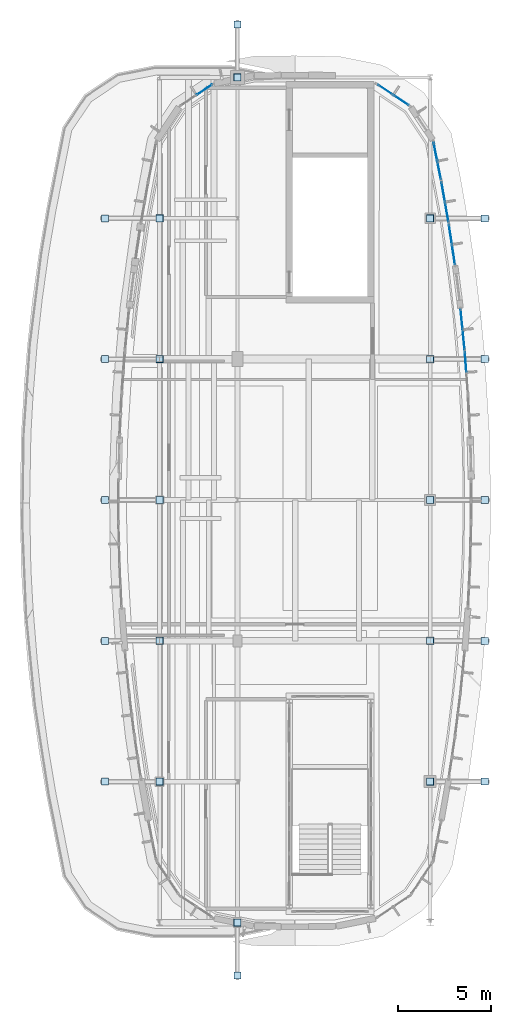
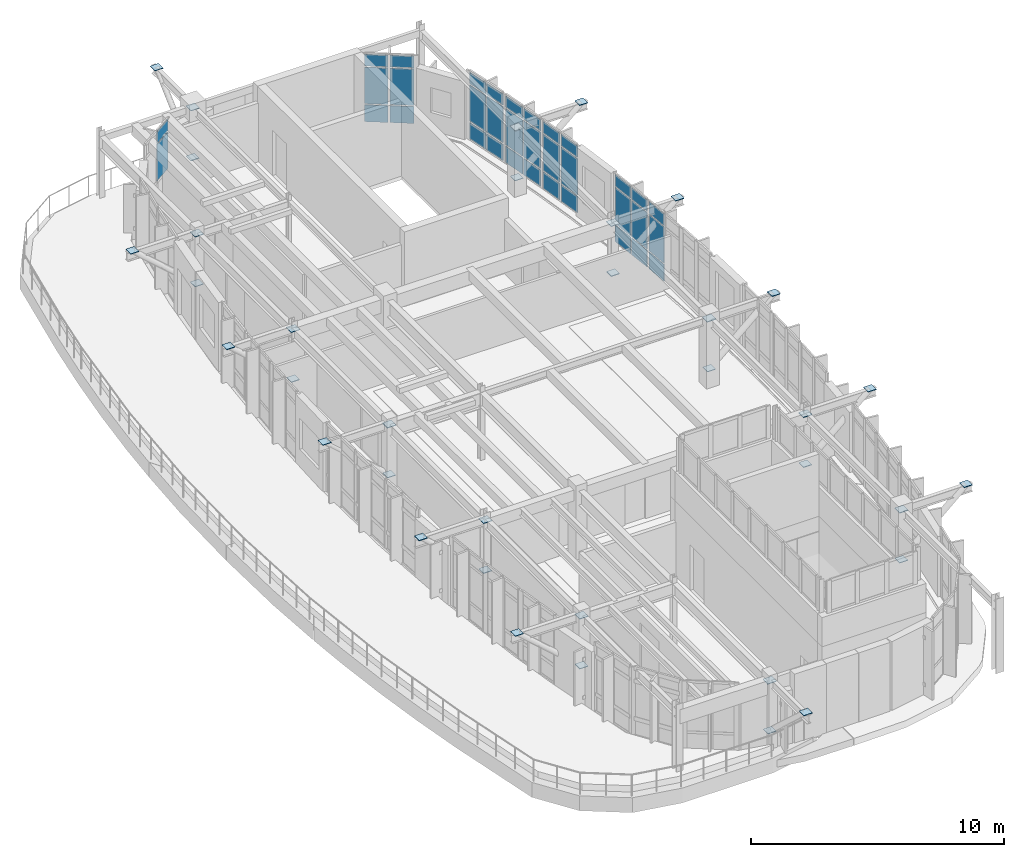
# One storey, part 15 of 20: 71 plates, 7 elements without a shape of their own.
"""IFC4 building model written with IfcOpenShell, lengths in metres."""

import ifcopenshell
import ifcopenshell.guid

model = None  # the IFC model being written
_history = None  # IfcOwnerHistory: only IFC2X3 demands one
_inside = {}  # id of a spatial element -> (the spatial element, [elements in it])
_under = {}  # id of a project, library or spatial element -> (it, [spatial elements below it])
_declared = {}  # id of a project -> (the project, [libraries it declares])
_typed = {}  # id of a type object -> (the type object, [elements of that type])
_made_of = {}  # id of a material, layer set ... -> (it, [elements and type objects made of it])


def new_model(schema):
    """Start an empty IFC model of exactly this schema.

    Asked for "IFC4X3", IfcOpenShell would pick the latest addendum, in which some entities
    have other attributes; the version numbers below select the first issue.
    IFC2X3 requires an IfcOwnerHistory on every rooted entity: one is made here for all.
    """
    global model, _history
    if schema == "IFC4X3":
        model = ifcopenshell.file(schema_version=(4, 3, 0, 0))
    else:
        model = ifcopenshell.file(schema=schema)
    _inside.clear()
    _under.clear()
    _declared.clear()
    _typed.clear()
    _made_of.clear()
    _history = None
    if model.schema == "IFC2X3":
        org = make("IfcOrganization", Name="unknown")
        user = make(
            "IfcPersonAndOrganization",
            ThePerson=make("IfcPerson", FamilyName="unknown"),
            TheOrganization=org,
        )
        app = make(
            "IfcApplication",
            ApplicationDeveloper=org,
            Version="unknown",
            ApplicationFullName="unknown",
            ApplicationIdentifier="unknown",
        )
        _history = make(
            "IfcOwnerHistory",
            OwningUser=user,
            OwningApplication=app,
            ChangeAction="ADDED",
            CreationDate=0,
        )
    return model


def make(cls, **values):
    """One entity of the class cls with the attributes given. An attribute that is None is left unset."""
    return model.create_entity(
        cls, **{name: value for name, value in values.items() if value is not None}
    )


def rooted(cls, **values):
    """An entity with a GlobalId (a new one), such as an element, a storey or a relation."""
    return make(cls, GlobalId=ifcopenshell.guid.new(), OwnerHistory=_history, **values)


def si_unit(unit_type, name, prefix=None):
    """IfcSIUnit, for example si_unit("LENGTHUNIT", "METRE", prefix="MILLI")."""
    return make("IfcSIUnit", UnitType=unit_type, Prefix=prefix, Name=name)


def assignment(units):
    """IfcUnitAssignment: the units of a project."""
    return None if units is None else make("IfcUnitAssignment", Units=units)


def point(xyz):
    """IfcCartesianPoint."""
    return None if xyz is None else make("IfcCartesianPoint", Coordinates=xyz)


def direction(xyz):
    """IfcDirection."""
    return None if xyz is None else make("IfcDirection", DirectionRatios=xyz)


def frame(location, z_axis=None, x_axis=None):
    """IfcAxis2Placement3D, a coordinate frame: its origin and axes. An axis left out is left unset."""
    return make(
        "IfcAxis2Placement3D",
        Location=point(location),
        Axis=direction(z_axis),
        RefDirection=direction(x_axis),
    )


def frame_2d(location, x_axis=None):
    """IfcAxis2Placement2D, a coordinate frame in the plane: its origin and x axis."""
    return make(
        "IfcAxis2Placement2D", Location=point(location), RefDirection=direction(x_axis)
    )


def origin():
    """The frame at (0, 0, 0) with its axes left unset."""
    return frame((0.0, 0.0, 0.0))


def origin_2d():
    """The frame at (0, 0) in the plane with its x axis left unset."""
    return frame_2d((0.0, 0.0))


def place(relative_to, where):
    """IfcLocalPlacement: puts the frame where relative to a parent placement (None: the world)."""
    return make(
        "IfcLocalPlacement", PlacementRelTo=relative_to, RelativePlacement=where
    )


def context(
    kind, dimensions, precision=None, world=None, true_north=None, identifier=None
):
    """IfcGeometricRepresentationContext, for example the 3D "Model" context."""
    return make(
        "IfcGeometricRepresentationContext",
        ContextIdentifier=identifier,
        ContextType=kind,
        CoordinateSpaceDimension=dimensions,
        Precision=precision,
        WorldCoordinateSystem=world,
        TrueNorth=true_north,
    )


def subcontext(parent, identifier, kind, view, scale=None):
    """IfcGeometricRepresentationSubContext, for example "Body" below "Model"."""
    return make(
        "IfcGeometricRepresentationSubContext",
        ContextIdentifier=identifier,
        ContextType=kind,
        ParentContext=parent,
        TargetScale=scale,
        TargetView=view,
    )


def project(units=None, contexts=None):
    """IfcProject with its units and contexts."""
    return rooted(
        "IfcProject",
        Name="project",
        RepresentationContexts=contexts,
        UnitsInContext=assignment(units),
    )


def spatial(cls, under=None, at=None, **own):
    """A site, building, storey or space (cls), placed at a placement, below another one or the project."""
    s = rooted(cls, ObjectPlacement=at, **own)
    if under is not None:
        _under.setdefault(under.id(), (under, []))[1].append(s)
    return s


def profile(cls, at=None, kind="AREA", **sizes):
    """A parametric profile (cls). Its sizes go by their IFC names, for example OverallWidth=200.0."""
    return make(cls, ProfileType=kind, Position=at, **sizes)


def rectangle(**sizes):
    """IfcRectangleProfileDef."""
    return profile("IfcRectangleProfileDef", **sizes)


def extrude(swept, where, along, depth):
    """IfcExtrudedAreaSolid: the profile swept, set in the frame where, extruded along a direction by depth."""
    return make(
        "IfcExtrudedAreaSolid",
        SweptArea=swept,
        Position=where,
        ExtrudedDirection=direction(along),
        Depth=depth,
    )


def shape(context_of_items, identifier, shape_type, items):
    """IfcShapeRepresentation: the items that make up one representation, for example the "Body"."""
    return make(
        "IfcShapeRepresentation",
        ContextOfItems=context_of_items,
        RepresentationIdentifier=identifier,
        RepresentationType=shape_type,
        Items=items,
    )


def material(Name=None, Category=None):
    """IfcMaterial."""
    return make("IfcMaterial", Name=Name, Category=Category)


def layer(
    of_material, thickness, ventilated=None, Name=None, Category=None, Priority=None
):
    """IfcMaterialLayer: one layer of a wall or slab, of a material (None: an air gap)."""
    return make(
        "IfcMaterialLayer",
        Material=of_material,
        LayerThickness=thickness,
        IsVentilated=ventilated,
        Name=Name,
        Category=Category,
        Priority=Priority,
    )


def layer_set(layers, Name=None):
    """IfcMaterialLayerSet."""
    return make("IfcMaterialLayerSet", MaterialLayers=layers, LayerSetName=Name)


def made_of(thing, what):
    """Note that an element or type object is made of a material, layer set ...; save() writes the relation."""
    if what is not None:
        _made_of.setdefault(what.id(), (what, []))[1].append(thing)
    return thing


def type_object(cls, material=None, **own):
    """A type object (cls), such as IfcWallType, which elements share."""
    return made_of(rooted(cls, **own), material)


def element(
    cls,
    number,
    at=None,
    inside=None,
    cuts=None,
    type_object=None,
    material=None,
    context=None,
    identifier="Body",
    shape_type=None,
    held_by="IfcProductDefinitionShape",
    body=None,
    shapes=None,
    **own,
):
    """One element of the class cls, such as IfcWall. Its Tag is "e" and its number.

    at: its placement. inside: the storey or other place that contains it. cuts: it is an
    opening in that element (IfcRelVoidsElement). A single representation is given by context,
    identifier, shape_type and body (its items); several are given by shapes. held_by: the class
    of the entity that holds the representations. save() writes the other relations.
    """
    e = rooted(cls, Tag="e%d" % number, ObjectPlacement=at, **own)
    if body is not None:
        shapes = [shape(context, identifier, shape_type, body)]
    if shapes is not None:
        e.Representation = make(held_by, Representations=shapes)
    if inside is not None:
        _inside.setdefault(inside.id(), (inside, []))[1].append(e)
    if cuts is not None:
        rooted(
            "IfcRelVoidsElement", RelatingBuildingElement=cuts, RelatedOpeningElement=e
        )
    if type_object is not None:
        _typed.setdefault(type_object.id(), (type_object, []))[1].append(e)
    return made_of(e, material)


def aggregate(whole, parts):
    """IfcRelAggregates: a whole, such as a stair, and the parts it consists of."""
    return rooted("IfcRelAggregates", RelatingObject=whole, RelatedObjects=parts)


def save(model, path):
    """Write the relations noted so far, then the file.

    IfcRelAggregates (storeys below a building ...), IfcRelContainedInSpatialStructure (elements
    in a storey), IfcRelDefinesByType, IfcRelAssociatesMaterial and IfcRelDeclares: one each for
    every whole, place, type object, material and project.
    """
    for whole, parts in _under.values():
        aggregate(whole, parts)
    for where, things in _inside.values():
        rooted(
            "IfcRelContainedInSpatialStructure",
            RelatedElements=things,
            RelatingStructure=where,
        )
    for kind, things in _typed.values():
        rooted("IfcRelDefinesByType", RelatedObjects=things, RelatingType=kind)
    for what, things in _made_of.values():
        rooted("IfcRelAssociatesMaterial", RelatedObjects=things, RelatingMaterial=what)
    for by, libraries in _declared.values():
        rooted("IfcRelDeclares", RelatingContext=by, RelatedDefinitions=libraries)
    model.write(path)


model = new_model("IFC4")

# Units and contexts
model_context = context("Model", 3, precision=1e-05, world=origin(), true_north=direction((0.0, 1.0)))
body_context = subcontext(model_context, "Body", "Model", "MODEL_VIEW")
ifc_project = project(units=[si_unit("LENGTHUNIT", "METRE"), si_unit("AREAUNIT", "SQUARE_METRE"), si_unit("VOLUMEUNIT", "CUBIC_METRE"), si_unit("PLANEANGLEUNIT", "RADIAN"), si_unit("MASSUNIT", "GRAM", prefix="KILO")], contexts=[model_context])

# Site, building, storey
site_placement = place(None, origin())
site = spatial("IfcSite", under=ifc_project, at=site_placement, CompositionType="ELEMENT")
building_placement = place(site_placement, origin())
building = spatial("IfcBuilding", under=site, at=building_placement, Name="Corveleigh Park Community Centre", CompositionType="ELEMENT")
storey_placement = place(building_placement, frame((0.0, 0.0, 19.800048828125)))
storey = spatial("IfcBuildingStorey", under=building, at=storey_placement, Name="L05", CompositionType="ELEMENT", Elevation=19.800048828125)

# Curtain wall, plates
ifc_material_1 = material(Name="Anodised aluminium 6063-T6", Category="aluminium")
curtain_wall_type = type_object("IfcCurtainWallType", Name="CW-SYS-V4-L03", PredefinedType="NOTDEFINED", material=ifc_material_1)
curtain_wall_1_placement = place(storey_placement, origin())
curtain_wall_1 = element("IfcCurtainWall", 1, at=curtain_wall_1_placement, inside=storey, type_object=curtain_wall_type, Name="V4 L05 Curtain Wall 481", PredefinedType="NOTDEFINED")
ifc_material_2 = material(Name="Low-E double glazing", Category="glass")
ifc_layer_1 = layer(ifc_material_2, 0.02392578125, Name="Low-E double glazing", Category="glass")
ifc_layer_set_1 = layer_set([ifc_layer_1], Name="Low-E double glazing")
plate_type_1 = type_object("IfcPlateType", Name="CWP-GLZ-24", PredefinedType="CURTAIN_PANEL", material=ifc_layer_set_1)
plate_1_placement = place(storey_placement, frame((170.312744140625, 88.845947265625, 0.059814453125), z_axis=(0.0, 0.0, 1.0), x_axis=(0.074400551014, -0.997228438227, 0.0)))
plate_1 = element("IfcPlate", 2, at=plate_1_placement, type_object=plate_type_1, Name="CW09 panel 1.1", PredefinedType="CURTAIN_PANEL", context=body_context, shape_type="SweptSolid", body=[
    extrude(rectangle(XDim=1.05908203125, YDim=0.02392578125, at=origin_2d()), origin(), (0.0, 0.0, 1.0), 0.81005859375),
])
plate_2_placement = place(storey_placement, frame((170.312744140625, 88.845947265625, 0.929931640625), z_axis=(0.0, 0.0, 1.0), x_axis=(0.074400551014, -0.997228438227, 0.0)))
plate_2 = element("IfcPlate", 3, at=plate_2_placement, type_object=plate_type_1, Name="CW09 panel 1.2", PredefinedType="CURTAIN_PANEL", context=body_context, shape_type="SweptSolid", body=[
    extrude(rectangle(XDim=1.05908203125, YDim=0.02392578125, at=origin_2d()), origin(), (0.0, 0.0, 1.0), 1.75390625),
])
plate_3_placement = place(storey_placement, frame((170.312744140625, 88.845947265625, 2.743896484375), z_axis=(0.0, 0.0, 1.0), x_axis=(0.074400551014, -0.997228438227, 0.0)))
plate_3 = element("IfcPlate", 4, at=plate_3_placement, type_object=plate_type_1, Name="CW09 panel 1.3", PredefinedType="CURTAIN_PANEL", context=body_context, shape_type="SweptSolid", body=[
    extrude(rectangle(XDim=1.05908203125, YDim=0.02392578125, at=origin_2d()), origin(), (0.0, 0.0, 1.0), 0.56005859375),
])
aggregate(curtain_wall_1, [plate_1, plate_2, plate_3])

curtain_wall_2_placement = place(storey_placement, origin())
curtain_wall_2 = element("IfcCurtainWall", 5, at=curtain_wall_2_placement, inside=storey, type_object=curtain_wall_type, Name="V4 L05 Curtain Wall 482", PredefinedType="NOTDEFINED")
plate_4_placement = place(storey_placement, frame((170.096923828125, 91.149658203125, 0.06494140625), z_axis=(0.0, 0.0, 1.0), x_axis=(0.099719288676, -0.995015609659, 0.0)))
plate_4 = element("IfcPlate", 6, at=plate_4_placement, type_object=plate_type_1, Name="CW09 panel 1.1", PredefinedType="CURTAIN_PANEL", context=body_context, shape_type="SweptSolid", body=[
    extrude(rectangle(XDim=1.05078125, YDim=0.02392578125, at=origin_2d()), origin(), (0.0, 0.0, 1.0), 0.802490234375),
])
plate_5_placement = place(storey_placement, frame((170.096923828125, 91.149658203125, 0.932373046875), z_axis=(0.0, 0.0, 1.0), x_axis=(0.099719288676, -0.995015609659, 0.0)))
plate_5 = element("IfcPlate", 7, at=plate_5_placement, type_object=plate_type_1, Name="CW09 panel 1.2", PredefinedType="CURTAIN_PANEL", context=body_context, shape_type="SweptSolid", body=[
    extrude(rectangle(XDim=1.05078125, YDim=0.02392578125, at=origin_2d()), origin(), (0.0, 0.0, 1.0), 1.7490234375),
])
plate_6_placement = place(storey_placement, frame((170.096923828125, 91.149658203125, 2.74658203125), z_axis=(0.0, 0.0, 1.0), x_axis=(0.099719288676, -0.995015609659, 0.0)))
plate_6 = element("IfcPlate", 8, at=plate_6_placement, type_object=plate_type_1, Name="CW09 panel 1.3", PredefinedType="CURTAIN_PANEL", context=body_context, shape_type="SweptSolid", body=[
    extrude(rectangle(XDim=1.05078125, YDim=0.02392578125, at=origin_2d()), origin(), (0.0, 0.0, 1.0), 0.552490234375),
])
plate_7_placement = place(storey_placement, frame((170.2080078125, 90.039306640625, 0.06494140625), z_axis=(0.0, 0.0, 1.0), x_axis=(0.099719288676, -0.995015609659, 0.0)))
plate_7 = element("IfcPlate", 9, at=plate_7_placement, type_object=plate_type_1, Name="CW09 panel 2.1", PredefinedType="CURTAIN_PANEL", context=body_context, shape_type="SweptSolid", body=[
    extrude(rectangle(XDim=1.05078125, YDim=0.02392578125, at=origin_2d()), origin(), (0.0, 0.0, 1.0), 0.802490234375),
])
plate_8_placement = place(storey_placement, frame((170.2080078125, 90.039306640625, 0.932373046875), z_axis=(0.0, 0.0, 1.0), x_axis=(0.099719288676, -0.995015609659, 0.0)))
plate_8 = element("IfcPlate", 10, at=plate_8_placement, type_object=plate_type_1, Name="CW09 panel 2.2", PredefinedType="CURTAIN_PANEL", context=body_context, shape_type="SweptSolid", body=[
    extrude(rectangle(XDim=1.05078125, YDim=0.02392578125, at=origin_2d()), origin(), (0.0, 0.0, 1.0), 1.7490234375),
])
plate_9_placement = place(storey_placement, frame((170.2080078125, 90.039306640625, 2.74658203125), z_axis=(0.0, 0.0, 1.0), x_axis=(0.099719288676, -0.995015609659, 0.0)))
plate_9 = element("IfcPlate", 11, at=plate_9_placement, type_object=plate_type_1, Name="CW09 panel 2.3", PredefinedType="CURTAIN_PANEL", context=body_context, shape_type="SweptSolid", body=[
    extrude(rectangle(XDim=1.05078125, YDim=0.02392578125, at=origin_2d()), origin(), (0.0, 0.0, 1.0), 0.552490234375),
])
aggregate(curtain_wall_2, [plate_4, plate_5, plate_6, plate_7, plate_8, plate_9])

curtain_wall_3_placement = place(storey_placement, origin())
curtain_wall_3 = element("IfcCurtainWall", 12, at=curtain_wall_3_placement, inside=storey, type_object=curtain_wall_type, Name="V4 L05 Curtain Wall 483", PredefinedType="NOTDEFINED")
ifc_layer_2 = layer(ifc_material_2, 0.028076171875, Name="Low-E double glazing", Category="glass")
ifc_layer_set_2 = layer_set([ifc_layer_2], Name="Low-E double glazing")
plate_type_2 = type_object("IfcPlateType", Name="CWP-GLZ-28", PredefinedType="CURTAIN_PANEL", material=ifc_layer_set_2)
plate_10_placement = place(storey_placement, frame((169.492431640625, 95.73779296875, 0.070068359375), z_axis=(0.0, 0.0, 1.0), x_axis=(0.149276778011, -0.988795450812, 0.0)))
plate_10 = element("IfcPlate", 13, at=plate_10_placement, type_object=plate_type_2, Name="CW09 panel 1.1", PredefinedType="CURTAIN_PANEL", context=body_context, shape_type="SweptSolid", body=[
    extrude(rectangle(XDim=1.0439453125, YDim=0.028076171875, at=origin_2d()), origin(), (0.0, 0.0, 1.0), 0.794921875),
])
plate_11_placement = place(storey_placement, frame((169.492431640625, 95.73779296875, 0.93505859375), z_axis=(0.0, 0.0, 1.0), x_axis=(0.149276778011, -0.988795450812, 0.0)))
plate_11 = element("IfcPlate", 14, at=plate_11_placement, type_object=plate_type_2, Name="CW09 panel 1.2", PredefinedType="CURTAIN_PANEL", context=body_context, shape_type="SweptSolid", body=[
    extrude(rectangle(XDim=1.0439453125, YDim=0.028076171875, at=origin_2d()), origin(), (0.0, 0.0, 1.0), 1.743896484375),
])
plate_12_placement = place(storey_placement, frame((169.492431640625, 95.73779296875, 2.7490234375), z_axis=(0.0, 0.0, 1.0), x_axis=(0.149276778011, -0.988795450812, 0.0)))
plate_12 = element("IfcPlate", 15, at=plate_12_placement, type_object=plate_type_2, Name="CW09 panel 1.3", PredefinedType="CURTAIN_PANEL", context=body_context, shape_type="SweptSolid", body=[
    extrude(rectangle(XDim=1.0439453125, YDim=0.028076171875, at=origin_2d()), origin(), (0.0, 0.0, 1.0), 0.544921875),
])
plate_13_placement = place(storey_placement, frame((169.65869140625, 94.63623046875, 0.070068359375), z_axis=(0.0, 0.0, 1.0), x_axis=(0.149276778011, -0.988795450812, 0.0)))
plate_13 = element("IfcPlate", 16, at=plate_13_placement, type_object=plate_type_2, Name="CW09 panel 2.1", PredefinedType="CURTAIN_PANEL", context=body_context, shape_type="SweptSolid", body=[
    extrude(rectangle(XDim=1.0439453125, YDim=0.028076171875, at=origin_2d()), origin(), (0.0, 0.0, 1.0), 0.794921875),
])
plate_14_placement = place(storey_placement, frame((169.65869140625, 94.63623046875, 0.93505859375), z_axis=(0.0, 0.0, 1.0), x_axis=(0.149276778011, -0.988795450812, 0.0)))
plate_14 = element("IfcPlate", 17, at=plate_14_placement, type_object=plate_type_2, Name="CW09 panel 2.2", PredefinedType="CURTAIN_PANEL", context=body_context, shape_type="SweptSolid", body=[
    extrude(rectangle(XDim=1.0439453125, YDim=0.028076171875, at=origin_2d()), origin(), (0.0, 0.0, 1.0), 1.743896484375),
])
plate_15_placement = place(storey_placement, frame((169.65869140625, 94.63623046875, 2.7490234375), z_axis=(0.0, 0.0, 1.0), x_axis=(0.149276778011, -0.988795450812, 0.0)))
plate_15 = element("IfcPlate", 18, at=plate_15_placement, type_object=plate_type_2, Name="CW09 panel 2.3", PredefinedType="CURTAIN_PANEL", context=body_context, shape_type="SweptSolid", body=[
    extrude(rectangle(XDim=1.0439453125, YDim=0.028076171875, at=origin_2d()), origin(), (0.0, 0.0, 1.0), 0.544921875),
])
aggregate(curtain_wall_3, [plate_10, plate_11, plate_12, plate_13, plate_14, plate_15])

curtain_wall_4_placement = place(storey_placement, origin())
curtain_wall_4 = element("IfcCurtainWall", 19, at=curtain_wall_4_placement, inside=storey, type_object=curtain_wall_type, Name="V4 L05 Curtain Wall 484", PredefinedType="NOTDEFINED")
plate_16_placement = place(storey_placement, frame((169.104248046875, 98.019775390625, 0.074951171875), z_axis=(0.0, 0.0, 1.0), x_axis=(0.174058388626, -0.984735333655, 0.0)))
plate_16 = element("IfcPlate", 20, at=plate_16_placement, type_object=plate_type_2, Name="CW09 panel 1.1", PredefinedType="CURTAIN_PANEL", context=body_context, shape_type="SweptSolid", body=[
    extrude(rectangle(XDim=1.03662109375, YDim=0.028076171875, at=origin_2d()), origin(), (0.0, 0.0, 1.0), 0.78759765625),
])
plate_17_placement = place(storey_placement, frame((169.104248046875, 98.019775390625, 0.9375), z_axis=(0.0, 0.0, 1.0), x_axis=(0.174058388626, -0.984735333655, 0.0)))
plate_17 = element("IfcPlate", 21, at=plate_17_placement, type_object=plate_type_2, Name="CW09 panel 1.2", PredefinedType="CURTAIN_PANEL", context=body_context, shape_type="SweptSolid", body=[
    extrude(rectangle(XDim=1.03662109375, YDim=0.028076171875, at=origin_2d()), origin(), (0.0, 0.0, 1.0), 1.739013671875),
])
plate_18_placement = place(storey_placement, frame((169.104248046875, 98.019775390625, 2.75146484375), z_axis=(0.0, 0.0, 1.0), x_axis=(0.174058388626, -0.984735333655, 0.0)))
plate_18 = element("IfcPlate", 22, at=plate_18_placement, type_object=plate_type_2, Name="CW09 panel 1.3", PredefinedType="CURTAIN_PANEL", context=body_context, shape_type="SweptSolid", body=[
    extrude(rectangle(XDim=1.03662109375, YDim=0.028076171875, at=origin_2d()), origin(), (0.0, 0.0, 1.0), 0.53759765625),
])
plate_19_placement = place(storey_placement, frame((169.2978515625, 96.92529296875, 0.074951171875), z_axis=(0.0, 0.0, 1.0), x_axis=(0.174058388626, -0.984735333655, 0.0)))
plate_19 = element("IfcPlate", 23, at=plate_19_placement, type_object=plate_type_2, Name="CW09 panel 2.1", PredefinedType="CURTAIN_PANEL", context=body_context, shape_type="SweptSolid", body=[
    extrude(rectangle(XDim=1.03662109375, YDim=0.028076171875, at=origin_2d()), origin(), (0.0, 0.0, 1.0), 0.78759765625),
])
plate_20_placement = place(storey_placement, frame((169.2978515625, 96.92529296875, 0.9375), z_axis=(0.0, 0.0, 1.0), x_axis=(0.174058388626, -0.984735333655, 0.0)))
plate_20 = element("IfcPlate", 24, at=plate_20_placement, type_object=plate_type_2, Name="CW09 panel 2.2", PredefinedType="CURTAIN_PANEL", context=body_context, shape_type="SweptSolid", body=[
    extrude(rectangle(XDim=1.03662109375, YDim=0.028076171875, at=origin_2d()), origin(), (0.0, 0.0, 1.0), 1.739013671875),
])
plate_21_placement = place(storey_placement, frame((169.2978515625, 96.92529296875, 2.75146484375), z_axis=(0.0, 0.0, 1.0), x_axis=(0.174058388626, -0.984735333655, 0.0)))
plate_21 = element("IfcPlate", 25, at=plate_21_placement, type_object=plate_type_2, Name="CW09 panel 2.3", PredefinedType="CURTAIN_PANEL", context=body_context, shape_type="SweptSolid", body=[
    extrude(rectangle(XDim=1.03662109375, YDim=0.028076171875, at=origin_2d()), origin(), (0.0, 0.0, 1.0), 0.53759765625),
])
aggregate(curtain_wall_4, [plate_16, plate_17, plate_18, plate_19, plate_20, plate_21])

curtain_wall_5_placement = place(storey_placement, origin())
curtain_wall_5 = element("IfcCurtainWall", 26, at=curtain_wall_5_placement, inside=storey, type_object=curtain_wall_type, Name="V4 L05 Curtain Wall 485", PredefinedType="NOTDEFINED")
ifc_layer_3 = layer(ifc_material_2, 0.031982421875, Name="Low-E double glazing", Category="glass")
ifc_layer_set_3 = layer_set([ifc_layer_3], Name="Low-E double glazing")
plate_type_3 = type_object("IfcPlateType", Name="CWP-GLZ-32", PredefinedType="CURTAIN_PANEL", material=ifc_layer_set_3)
plate_22_placement = place(storey_placement, frame((168.685302734375, 100.194091796875, 0.080078125), z_axis=(0.0, 0.0, 1.0), x_axis=(0.194784489103, -0.980846064785, 0.0)))
plate_22 = element("IfcPlate", 27, at=plate_22_placement, type_object=plate_type_3, Name="CW09 panel 1.1", PredefinedType="CURTAIN_PANEL", context=body_context, shape_type="SweptSolid", body=[
    extrude(rectangle(XDim=0.963134765625, YDim=0.031982421875, at=origin_2d()), origin(), (0.0, 0.0, 1.0), 0.780029296875),
])
plate_23_placement = place(storey_placement, frame((168.685302734375, 100.194091796875, 0.93994140625), z_axis=(0.0, 0.0, 1.0), x_axis=(0.194784489103, -0.980846064785, 0.0)))
plate_23 = element("IfcPlate", 28, at=plate_23_placement, type_object=plate_type_3, Name="CW09 panel 1.2", PredefinedType="CURTAIN_PANEL", context=body_context, shape_type="SweptSolid", body=[
    extrude(rectangle(XDim=0.963134765625, YDim=0.031982421875, at=origin_2d()), origin(), (0.0, 0.0, 1.0), 1.73388671875),
])
plate_24_placement = place(storey_placement, frame((168.685302734375, 100.194091796875, 2.75390625), z_axis=(0.0, 0.0, 1.0), x_axis=(0.194784489103, -0.980846064785, 0.0)))
plate_24 = element("IfcPlate", 29, at=plate_24_placement, type_object=plate_type_3, Name="CW09 panel 1.3", PredefinedType="CURTAIN_PANEL", context=body_context, shape_type="SweptSolid", body=[
    extrude(rectangle(XDim=0.963134765625, YDim=0.031982421875, at=origin_2d()), origin(), (0.0, 0.0, 1.0), 0.530029296875),
])
plate_25_placement = place(storey_placement, frame((168.888671875, 99.1708984375, 0.080078125), z_axis=(0.0, 0.0, 1.0), x_axis=(0.194784489103, -0.980846064785, 0.0)))
plate_25 = element("IfcPlate", 30, at=plate_25_placement, type_object=plate_type_3, Name="CW09 panel 2.1", PredefinedType="CURTAIN_PANEL", context=body_context, shape_type="SweptSolid", body=[
    extrude(rectangle(XDim=0.963134765625, YDim=0.031982421875, at=origin_2d()), origin(), (0.0, 0.0, 1.0), 0.780029296875),
])
plate_26_placement = place(storey_placement, frame((168.888671875, 99.1708984375, 0.93994140625), z_axis=(0.0, 0.0, 1.0), x_axis=(0.194784489103, -0.980846064785, 0.0)))
plate_26 = element("IfcPlate", 31, at=plate_26_placement, type_object=plate_type_3, Name="CW09 panel 2.2", PredefinedType="CURTAIN_PANEL", context=body_context, shape_type="SweptSolid", body=[
    extrude(rectangle(XDim=0.963134765625, YDim=0.031982421875, at=origin_2d()), origin(), (0.0, 0.0, 1.0), 1.73388671875),
])
plate_27_placement = place(storey_placement, frame((168.888671875, 99.1708984375, 2.75390625), z_axis=(0.0, 0.0, 1.0), x_axis=(0.194784489103, -0.980846064785, 0.0)))
plate_27 = element("IfcPlate", 32, at=plate_27_placement, type_object=plate_type_3, Name="CW09 panel 2.3", PredefinedType="CURTAIN_PANEL", context=body_context, shape_type="SweptSolid", body=[
    extrude(rectangle(XDim=0.963134765625, YDim=0.031982421875, at=origin_2d()), origin(), (0.0, 0.0, 1.0), 0.530029296875),
])
aggregate(curtain_wall_5, [plate_22, plate_23, plate_24, plate_25, plate_26, plate_27])

curtain_wall_6_placement = place(storey_placement, origin())
curtain_wall_6 = element("IfcCurtainWall", 33, at=curtain_wall_6_placement, inside=storey, type_object=curtain_wall_type, Name="V4 L05 Curtain Wall 486", PredefinedType="NOTDEFINED")
plate_28_placement = place(storey_placement, frame((165.986328125, 103.534423828125, 0.059814453125), z_axis=(0.0, 0.0, 1.0), x_axis=(0.831544296886, -0.555458443376, 0.0)))
plate_28 = element("IfcPlate", 34, at=plate_28_placement, type_object=plate_type_3, Name="CW09 panel 1.1", PredefinedType="CURTAIN_PANEL", context=body_context, shape_type="SweptSolid", body=[
    extrude(rectangle(XDim=0.9375, YDim=0.031982421875, at=origin_2d()), origin(), (0.0, 0.0, 1.0), 0.81005859375),
])
plate_29_placement = place(storey_placement, frame((165.986328125, 103.534423828125, 0.929931640625), z_axis=(0.0, 0.0, 1.0), x_axis=(0.831544296886, -0.555458443376, 0.0)))
plate_29 = element("IfcPlate", 35, at=plate_29_placement, type_object=plate_type_3, Name="CW09 panel 1.2", PredefinedType="CURTAIN_PANEL", context=body_context, shape_type="SweptSolid", body=[
    extrude(rectangle(XDim=0.9375, YDim=0.031982421875, at=origin_2d()), origin(), (0.0, 0.0, 1.0), 1.75390625),
])
plate_30_placement = place(storey_placement, frame((165.986328125, 103.534423828125, 2.743896484375), z_axis=(0.0, 0.0, 1.0), x_axis=(0.831544296886, -0.555458443376, 0.0)))
plate_30 = element("IfcPlate", 36, at=plate_30_placement, type_object=plate_type_3, Name="CW09 panel 1.3", PredefinedType="CURTAIN_PANEL", context=body_context, shape_type="SweptSolid", body=[
    extrude(rectangle(XDim=0.9375, YDim=0.031982421875, at=origin_2d()), origin(), (0.0, 0.0, 1.0), 0.56005859375),
])
plate_31_placement = place(storey_placement, frame((166.836669921875, 102.966552734375, 0.059814453125), z_axis=(0.0, 0.0, 1.0), x_axis=(0.831544296886, -0.555458443376, 0.0)))
plate_31 = element("IfcPlate", 37, at=plate_31_placement, type_object=plate_type_3, Name="CW09 panel 2.1", PredefinedType="CURTAIN_PANEL", context=body_context, shape_type="SweptSolid", body=[
    extrude(rectangle(XDim=0.9375, YDim=0.031982421875, at=origin_2d()), origin(), (0.0, 0.0, 1.0), 0.81005859375),
])
plate_32_placement = place(storey_placement, frame((166.836669921875, 102.966552734375, 0.929931640625), z_axis=(0.0, 0.0, 1.0), x_axis=(0.831544296886, -0.555458443376, 0.0)))
plate_32 = element("IfcPlate", 38, at=plate_32_placement, type_object=plate_type_3, Name="CW09 panel 2.2", PredefinedType="CURTAIN_PANEL", context=body_context, shape_type="SweptSolid", body=[
    extrude(rectangle(XDim=0.9375, YDim=0.031982421875, at=origin_2d()), origin(), (0.0, 0.0, 1.0), 1.75390625),
])
plate_33_placement = place(storey_placement, frame((166.836669921875, 102.966552734375, 2.743896484375), z_axis=(0.0, 0.0, 1.0), x_axis=(0.831544296886, -0.555458443376, 0.0)))
plate_33 = element("IfcPlate", 39, at=plate_33_placement, type_object=plate_type_3, Name="CW09 panel 2.3", PredefinedType="CURTAIN_PANEL", context=body_context, shape_type="SweptSolid", body=[
    extrude(rectangle(XDim=0.9375, YDim=0.031982421875, at=origin_2d()), origin(), (0.0, 0.0, 1.0), 0.56005859375),
])
aggregate(curtain_wall_6, [plate_28, plate_29, plate_30, plate_31, plate_32, plate_33])

curtain_wall_7_placement = place(storey_placement, origin())
curtain_wall_7 = element("IfcCurtainWall", 40, at=curtain_wall_7_placement, inside=storey, type_object=curtain_wall_type, Name="V4 L05 Curtain Wall 487", PredefinedType="NOTDEFINED")
ifc_layer_4 = layer(ifc_material_2, 0.035888671875, Name="Low-E double glazing", Category="glass")
ifc_layer_set_4 = layer_set([ifc_layer_4], Name="Low-E double glazing")
plate_type_4 = type_object("IfcPlateType", Name="CWP-GLZ-36", PredefinedType="CURTAIN_PANEL", material=ifc_layer_set_4)
plate_34_placement = place(storey_placement, frame((156.21875, 103.537841796875, 0.932373046875), z_axis=(0.0, 0.0, 1.0), x_axis=(0.831544296886, 0.555458443376, 0.0)))
plate_34 = element("IfcPlate", 41, at=plate_34_placement, type_object=plate_type_4, Name="CW09 panel 2.2", PredefinedType="CURTAIN_PANEL", context=body_context, shape_type="SweptSolid", body=[
    extrude(rectangle(XDim=0.974853515625, YDim=0.035888671875, at=origin_2d()), origin(), (0.0, 0.0, 1.0), 1.7490234375),
])
plate_35_placement = place(storey_placement, frame((156.21875, 103.537841796875, 2.74658203125), z_axis=(0.0, 0.0, 1.0), x_axis=(0.831544296886, 0.555458443376, 0.0)))
plate_35 = element("IfcPlate", 42, at=plate_35_placement, type_object=plate_type_4, Name="CW09 panel 2.3", PredefinedType="CURTAIN_PANEL", context=body_context, shape_type="SweptSolid", body=[
    extrude(rectangle(XDim=0.974853515625, YDim=0.035888671875, at=origin_2d()), origin(), (0.0, 0.0, 1.0), 0.552490234375),
])
aggregate(curtain_wall_7, [plate_34, plate_35])

# Plates
ifc_material_3 = material(Name="Steel S355", Category="steel")
ifc_layer_5 = layer(ifc_material_3, 0.028076171875, Name="Steel S355", Category="steel")
ifc_layer_set_5 = layer_set([ifc_layer_5], Name="Steel S355")
plate_type_5 = type_object("IfcPlateType", Name="PLT-CAP-28", PredefinedType="SHEET", material=ifc_layer_set_5)
plate_36_placement = place(storey_placement, frame((153.800048828125, 66.199951171875, 3.15185546875), z_axis=(0.0, 0.0, 1.0), x_axis=(1.0, 0.0, 0.0)))
element("IfcPlate", 43, at=plate_36_placement, inside=storey, type_object=plate_type_5, Name="V4 Crown Overhang Strut X5Y1 Outrigger pier end plate", PredefinedType="SHEET", context=body_context, shape_type="SweptSolid", body=[
    extrude(rectangle(XDim=0.39990234375, YDim=0.39990234375, at=origin_2d()), origin(), (0.0, 0.0, 1.0), 0.028076171875),
])
for number, where, z_axis, x_axis, name in (
    (44, (153.800048828125, 66.199951171875, 0.73583984375), (0.0, 0.0, 1.0), (1.0, 0.0, 0.0), "V4 Crown Overhang Strut X5Y1 base cap"),
    (45, (150.85595703125, 66.199951171875, 3.3427734375), (0.0, 0.0, 1.0), (1.0, 0.0, 0.0), "V4 Crown Overhang Strut X5Y1 tip cap"),
):
    element("IfcPlate", number, at=place(storey_placement, frame(where, z_axis=z_axis, x_axis=x_axis)), inside=storey, type_object=plate_type_5, Name=name, PredefinedType="SHEET", context=body_context, shape_type="SweptSolid", body=[
        extrude(rectangle(XDim=0.3798828125, YDim=0.3798828125, at=origin_2d()), origin(), (0.0, 0.0, 1.0), 0.028076171875),
    ])
plate_37_placement = place(storey_placement, frame((168.39990234375, 66.199951171875, 3.15185546875), z_axis=(0.0, 0.0, 1.0), x_axis=(1.0, 0.0, 0.0)))
element("IfcPlate", 46, at=plate_37_placement, inside=storey, type_object=plate_type_5, Name="V4 Crown Overhang Strut X7Y1 Outrigger pier end plate", PredefinedType="SHEET", context=body_context, shape_type="SweptSolid", body=[
    extrude(rectangle(XDim=0.39990234375, YDim=0.39990234375, at=origin_2d()), origin(), (0.0, 0.0, 1.0), 0.028076171875),
])
for number, where, z_axis, x_axis, name in (
    (47, (168.39990234375, 66.199951171875, 0.73583984375), (0.0, 0.0, 1.0), (1.0, 0.0, 0.0), "V4 Crown Overhang Strut X7Y1 base cap"),
    (48, (171.343994140625, 66.199951171875, 3.3427734375), (0.0, 0.0, 1.0), (1.0, 0.0, 0.0), "V4 Crown Overhang Strut X7Y1 tip cap"),
):
    element("IfcPlate", number, at=place(storey_placement, frame(where, z_axis=z_axis, x_axis=x_axis)), inside=storey, type_object=plate_type_5, Name=name, PredefinedType="SHEET", context=body_context, shape_type="SweptSolid", body=[
        extrude(rectangle(XDim=0.3798828125, YDim=0.3798828125, at=origin_2d()), origin(), (0.0, 0.0, 1.0), 0.028076171875),
    ])
plate_38_placement = place(storey_placement, frame((153.800048828125, 73.800048828125, 3.15185546875), z_axis=(0.0, 0.0, 1.0), x_axis=(1.0, 0.0, 0.0)))
element("IfcPlate", 49, at=plate_38_placement, inside=storey, type_object=plate_type_5, Name="V4 Crown Overhang Strut X5Y2 Outrigger pier end plate", PredefinedType="SHEET", context=body_context, shape_type="SweptSolid", body=[
    extrude(rectangle(XDim=0.39990234375, YDim=0.39990234375, at=origin_2d()), origin(), (0.0, 0.0, 1.0), 0.028076171875),
])
for number, where, z_axis, x_axis, name in (
    (50, (153.800048828125, 73.800048828125, 0.73583984375), (0.0, 0.0, 1.0), (1.0, 0.0, 0.0), "V4 Crown Overhang Strut X5Y2 base cap"),
    (51, (150.85595703125, 73.800048828125, 3.3427734375), (0.0, 0.0, 1.0), (1.0, 0.0, 0.0), "V4 Crown Overhang Strut X5Y2 tip cap"),
):
    element("IfcPlate", number, at=place(storey_placement, frame(where, z_axis=z_axis, x_axis=x_axis)), inside=storey, type_object=plate_type_5, Name=name, PredefinedType="SHEET", context=body_context, shape_type="SweptSolid", body=[
        extrude(rectangle(XDim=0.3798828125, YDim=0.3798828125, at=origin_2d()), origin(), (0.0, 0.0, 1.0), 0.028076171875),
    ])
plate_39_placement = place(storey_placement, frame((168.39990234375, 73.800048828125, 3.15185546875), z_axis=(0.0, 0.0, 1.0), x_axis=(1.0, 0.0, 0.0)))
element("IfcPlate", 52, at=plate_39_placement, inside=storey, type_object=plate_type_5, Name="V4 Crown Overhang Strut X7Y2 Outrigger pier end plate", PredefinedType="SHEET", context=body_context, shape_type="SweptSolid", body=[
    extrude(rectangle(XDim=0.39990234375, YDim=0.39990234375, at=origin_2d()), origin(), (0.0, 0.0, 1.0), 0.028076171875),
])
for number, where, z_axis, x_axis, name in (
    (53, (168.39990234375, 73.800048828125, 0.73583984375), (0.0, 0.0, 1.0), (1.0, 0.0, 0.0), "V4 Crown Overhang Strut X7Y2 base cap"),
    (54, (171.343994140625, 73.800048828125, 3.3427734375), (0.0, 0.0, 1.0), (1.0, 0.0, 0.0), "V4 Crown Overhang Strut X7Y2 tip cap"),
):
    element("IfcPlate", number, at=place(storey_placement, frame(where, z_axis=z_axis, x_axis=x_axis)), inside=storey, type_object=plate_type_5, Name=name, PredefinedType="SHEET", context=body_context, shape_type="SweptSolid", body=[
        extrude(rectangle(XDim=0.3798828125, YDim=0.3798828125, at=origin_2d()), origin(), (0.0, 0.0, 1.0), 0.028076171875),
    ])
plate_40_placement = place(storey_placement, frame((153.800048828125, 81.39990234375, 3.15185546875), z_axis=(0.0, 0.0, 1.0), x_axis=(1.0, 0.0, 0.0)))
element("IfcPlate", 55, at=plate_40_placement, inside=storey, type_object=plate_type_5, Name="V4 Crown Overhang Strut X5Y3 Outrigger pier end plate", PredefinedType="SHEET", context=body_context, shape_type="SweptSolid", body=[
    extrude(rectangle(XDim=0.39990234375, YDim=0.39990234375, at=origin_2d()), origin(), (0.0, 0.0, 1.0), 0.028076171875),
])
for number, where, z_axis, x_axis, name in (
    (56, (153.800048828125, 81.39990234375, 0.73583984375), (0.0, 0.0, 1.0), (1.0, 0.0, 0.0), "V4 Crown Overhang Strut X5Y3 base cap"),
    (57, (150.85595703125, 81.39990234375, 3.3427734375), (0.0, 0.0, 1.0), (1.0, 0.0, 0.0), "V4 Crown Overhang Strut X5Y3 tip cap"),
):
    element("IfcPlate", number, at=place(storey_placement, frame(where, z_axis=z_axis, x_axis=x_axis)), inside=storey, type_object=plate_type_5, Name=name, PredefinedType="SHEET", context=body_context, shape_type="SweptSolid", body=[
        extrude(rectangle(XDim=0.3798828125, YDim=0.3798828125, at=origin_2d()), origin(), (0.0, 0.0, 1.0), 0.028076171875),
    ])
plate_41_placement = place(storey_placement, frame((168.39990234375, 81.39990234375, 3.15185546875), z_axis=(0.0, 0.0, 1.0), x_axis=(1.0, 0.0, 0.0)))
element("IfcPlate", 58, at=plate_41_placement, inside=storey, type_object=plate_type_5, Name="V4 Crown Overhang Strut X7Y3 Outrigger pier end plate", PredefinedType="SHEET", context=body_context, shape_type="SweptSolid", body=[
    extrude(rectangle(XDim=0.39990234375, YDim=0.39990234375, at=origin_2d()), origin(), (0.0, 0.0, 1.0), 0.028076171875),
])
for number, where, z_axis, x_axis, name in (
    (59, (168.39990234375, 81.39990234375, 0.73583984375), (0.0, 0.0, 1.0), (1.0, 0.0, 0.0), "V4 Crown Overhang Strut X7Y3 base cap"),
    (60, (171.343994140625, 81.39990234375, 3.3427734375), (0.0, 0.0, 1.0), (1.0, 0.0, 0.0), "V4 Crown Overhang Strut X7Y3 tip cap"),
):
    element("IfcPlate", number, at=place(storey_placement, frame(where, z_axis=z_axis, x_axis=x_axis)), inside=storey, type_object=plate_type_5, Name=name, PredefinedType="SHEET", context=body_context, shape_type="SweptSolid", body=[
        extrude(rectangle(XDim=0.3798828125, YDim=0.3798828125, at=origin_2d()), origin(), (0.0, 0.0, 1.0), 0.028076171875),
    ])
plate_42_placement = place(storey_placement, frame((153.800048828125, 89.0, 3.15185546875), z_axis=(0.0, 0.0, 1.0), x_axis=(1.0, 0.0, 0.0)))
element("IfcPlate", 61, at=plate_42_placement, inside=storey, type_object=plate_type_5, Name="V4 Crown Overhang Strut X5Y4 Outrigger pier end plate", PredefinedType="SHEET", context=body_context, shape_type="SweptSolid", body=[
    extrude(rectangle(XDim=0.39990234375, YDim=0.39990234375, at=origin_2d()), origin(), (0.0, 0.0, 1.0), 0.028076171875),
])
for number, where, z_axis, x_axis, name in (
    (62, (153.800048828125, 89.0, 0.73583984375), (0.0, 0.0, 1.0), (1.0, 0.0, 0.0), "V4 Crown Overhang Strut X5Y4 base cap"),
    (63, (150.85595703125, 89.0, 3.3427734375), (0.0, 0.0, 1.0), (1.0, 0.0, 0.0), "V4 Crown Overhang Strut X5Y4 tip cap"),
):
    element("IfcPlate", number, at=place(storey_placement, frame(where, z_axis=z_axis, x_axis=x_axis)), inside=storey, type_object=plate_type_5, Name=name, PredefinedType="SHEET", context=body_context, shape_type="SweptSolid", body=[
        extrude(rectangle(XDim=0.3798828125, YDim=0.3798828125, at=origin_2d()), origin(), (0.0, 0.0, 1.0), 0.028076171875),
    ])
plate_43_placement = place(storey_placement, frame((168.39990234375, 89.0, 3.15185546875), z_axis=(0.0, 0.0, 1.0), x_axis=(1.0, 0.0, 0.0)))
element("IfcPlate", 64, at=plate_43_placement, inside=storey, type_object=plate_type_5, Name="V4 Crown Overhang Strut X7Y4 Outrigger pier end plate", PredefinedType="SHEET", context=body_context, shape_type="SweptSolid", body=[
    extrude(rectangle(XDim=0.39990234375, YDim=0.39990234375, at=origin_2d()), origin(), (0.0, 0.0, 1.0), 0.028076171875),
])
for number, where, z_axis, x_axis, name in (
    (65, (168.39990234375, 89.0, 0.73583984375), (0.0, 0.0, 1.0), (1.0, 0.0, 0.0), "V4 Crown Overhang Strut X7Y4 base cap"),
    (66, (171.343994140625, 89.0, 3.3427734375), (0.0, 0.0, 1.0), (1.0, 0.0, 0.0), "V4 Crown Overhang Strut X7Y4 tip cap"),
):
    element("IfcPlate", number, at=place(storey_placement, frame(where, z_axis=z_axis, x_axis=x_axis)), inside=storey, type_object=plate_type_5, Name=name, PredefinedType="SHEET", context=body_context, shape_type="SweptSolid", body=[
        extrude(rectangle(XDim=0.3798828125, YDim=0.3798828125, at=origin_2d()), origin(), (0.0, 0.0, 1.0), 0.028076171875),
    ])
plate_44_placement = place(storey_placement, frame((153.800048828125, 96.60009765625, 3.15185546875), z_axis=(0.0, 0.0, 1.0), x_axis=(1.0, 0.0, 0.0)))
element("IfcPlate", 67, at=plate_44_placement, inside=storey, type_object=plate_type_5, Name="V4 Crown Overhang Strut X5Y5 Outrigger pier end plate", PredefinedType="SHEET", context=body_context, shape_type="SweptSolid", body=[
    extrude(rectangle(XDim=0.39990234375, YDim=0.39990234375, at=origin_2d()), origin(), (0.0, 0.0, 1.0), 0.028076171875),
])
for number, where, z_axis, x_axis, name in (
    (68, (153.800048828125, 96.60009765625, 0.73583984375), (0.0, 0.0, 1.0), (1.0, 0.0, 0.0), "V4 Crown Overhang Strut X5Y5 base cap"),
    (69, (150.85595703125, 96.60009765625, 3.3427734375), (0.0, 0.0, 1.0), (1.0, 0.0, 0.0), "V4 Crown Overhang Strut X5Y5 tip cap"),
):
    element("IfcPlate", number, at=place(storey_placement, frame(where, z_axis=z_axis, x_axis=x_axis)), inside=storey, type_object=plate_type_5, Name=name, PredefinedType="SHEET", context=body_context, shape_type="SweptSolid", body=[
        extrude(rectangle(XDim=0.3798828125, YDim=0.3798828125, at=origin_2d()), origin(), (0.0, 0.0, 1.0), 0.028076171875),
    ])
plate_45_placement = place(storey_placement, frame((168.39990234375, 96.60009765625, 3.15185546875), z_axis=(0.0, 0.0, 1.0), x_axis=(1.0, 0.0, 0.0)))
element("IfcPlate", 70, at=plate_45_placement, inside=storey, type_object=plate_type_5, Name="V4 Crown Overhang Strut X7Y5 Outrigger pier end plate", PredefinedType="SHEET", context=body_context, shape_type="SweptSolid", body=[
    extrude(rectangle(XDim=0.39990234375, YDim=0.39990234375, at=origin_2d()), origin(), (0.0, 0.0, 1.0), 0.028076171875),
])
for number, where, z_axis, x_axis, name in (
    (71, (168.39990234375, 96.60009765625, 0.73583984375), (0.0, 0.0, 1.0), (1.0, 0.0, 0.0), "V4 Crown Overhang Strut X7Y5 base cap"),
    (72, (171.343994140625, 96.60009765625, 3.3427734375), (0.0, 0.0, 1.0), (1.0, 0.0, 0.0), "V4 Crown Overhang Strut X7Y5 tip cap"),
):
    element("IfcPlate", number, at=place(storey_placement, frame(where, z_axis=z_axis, x_axis=x_axis)), inside=storey, type_object=plate_type_5, Name=name, PredefinedType="SHEET", context=body_context, shape_type="SweptSolid", body=[
        extrude(rectangle(XDim=0.3798828125, YDim=0.3798828125, at=origin_2d()), origin(), (0.0, 0.0, 1.0), 0.028076171875),
    ])
plate_46_placement = place(storey_placement, frame((158.0, 58.60009765625, 3.15185546875), z_axis=(0.0, 0.0, 1.0), x_axis=(1.0, 0.0, 0.0)))
element("IfcPlate", 73, at=plate_46_placement, inside=storey, type_object=plate_type_5, Name="V4 Crown End Overhang Strut X6Y0 Outrigger pier end plate", PredefinedType="SHEET", context=body_context, shape_type="SweptSolid", body=[
    extrude(rectangle(XDim=0.39990234375, YDim=0.39990234375, at=origin_2d()), origin(), (0.0, 0.0, 1.0), 0.028076171875),
])
for number, where, z_axis, x_axis, name in (
    (74, (158.0, 58.60009765625, 0.73583984375), (0.0, 0.0, 1.0), (1.0, 0.0, 0.0), "V4 Crown End Overhang Strut X6Y0 base cap"),
    (75, (158.0, 55.748046875, 3.3427734375), (0.0, 0.0, 1.0), (1.0, 0.0, 0.0), "V4 Crown End Overhang Strut X6Y0 tip cap"),
):
    element("IfcPlate", number, at=place(storey_placement, frame(where, z_axis=z_axis, x_axis=x_axis)), inside=storey, type_object=plate_type_5, Name=name, PredefinedType="SHEET", context=body_context, shape_type="SweptSolid", body=[
        extrude(rectangle(XDim=0.3798828125, YDim=0.3798828125, at=origin_2d()), origin(), (0.0, 0.0, 1.0), 0.028076171875),
    ])
plate_47_placement = place(storey_placement, frame((158.0, 104.199951171875, 3.15185546875), z_axis=(0.0, 0.0, 1.0), x_axis=(1.0, 0.0, 0.0)))
element("IfcPlate", 76, at=plate_47_placement, inside=storey, type_object=plate_type_5, Name="V4 Crown End Overhang Strut X6Y6 Outrigger pier end plate", PredefinedType="SHEET", context=body_context, shape_type="SweptSolid", body=[
    extrude(rectangle(XDim=0.39990234375, YDim=0.39990234375, at=origin_2d()), origin(), (0.0, 0.0, 1.0), 0.028076171875),
])
for number, where, z_axis, x_axis, name in (
    (77, (158.0, 104.199951171875, 0.73583984375), (0.0, 0.0, 1.0), (1.0, 0.0, 0.0), "V4 Crown End Overhang Strut X6Y6 base cap"),
    (78, (158.0, 107.052001953125, 3.3427734375), (0.0, 0.0, 1.0), (1.0, 0.0, 0.0), "V4 Crown End Overhang Strut X6Y6 tip cap"),
):
    element("IfcPlate", number, at=place(storey_placement, frame(where, z_axis=z_axis, x_axis=x_axis)), inside=storey, type_object=plate_type_5, Name=name, PredefinedType="SHEET", context=body_context, shape_type="SweptSolid", body=[
        extrude(rectangle(XDim=0.3798828125, YDim=0.3798828125, at=origin_2d()), origin(), (0.0, 0.0, 1.0), 0.028076171875),
    ])

save(model, "model.ifc")
